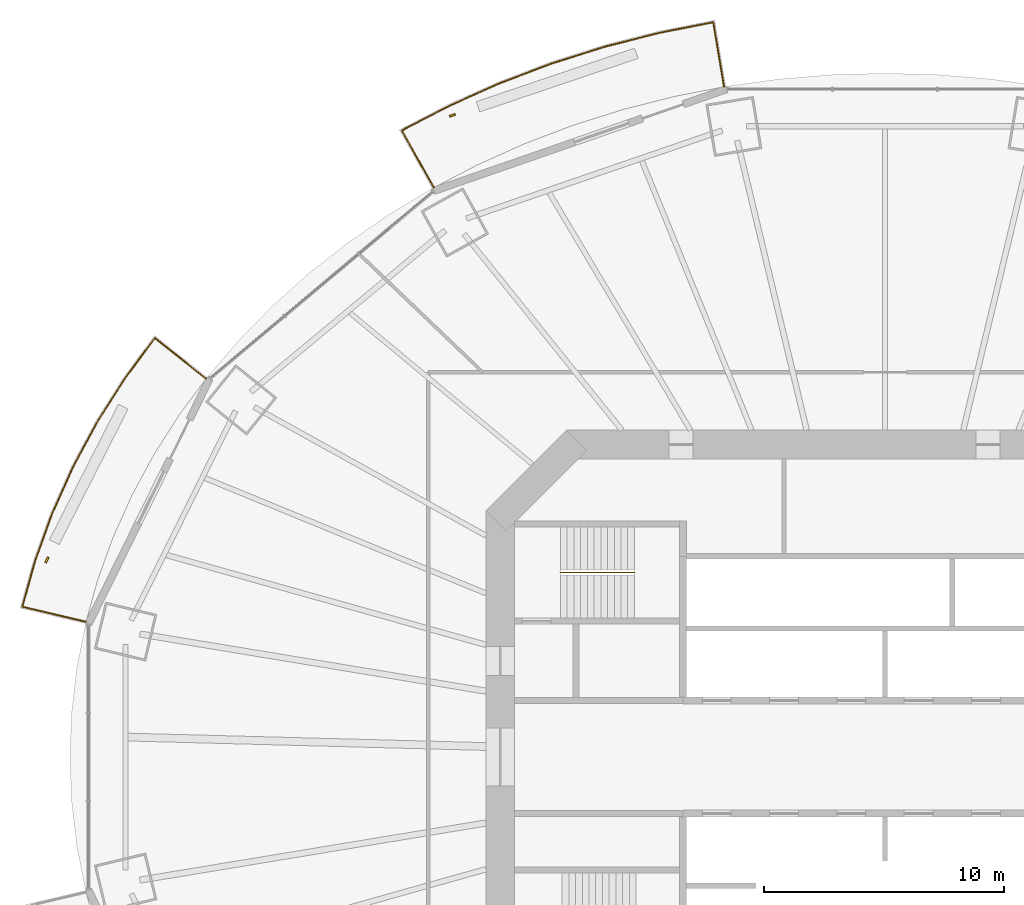
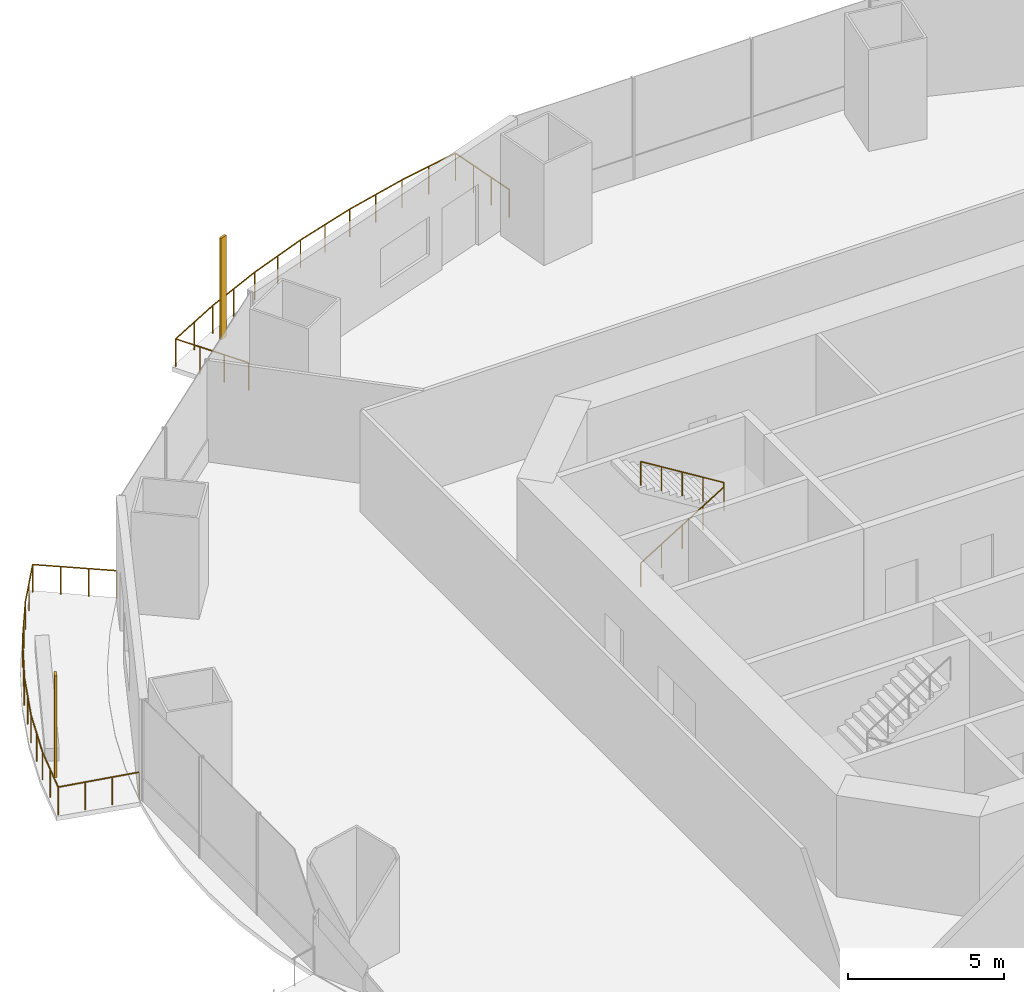
# One storey, part 19 of 21: 3 railings, 2 shading devices.
"""IFC4 building model written with IfcOpenShell, lengths in metres."""

from ifc_helpers import new_model, si_unit, direction, frame, origin, origin_2d, place, context, subcontext, project, spatial, rectangle, circle, extrude, material, material_profile, profile_set, type_object, element, save


model = new_model("IFC4")

# Units and contexts
model_context = context("Model", 3, precision=1e-05, world=origin(), true_north=direction((0.0, 1.0)))
body_context = subcontext(model_context, "Body", "Model", "MODEL_VIEW")
ifc_project = project(units=[si_unit("LENGTHUNIT", "METRE"), si_unit("AREAUNIT", "SQUARE_METRE"), si_unit("VOLUMEUNIT", "CUBIC_METRE"), si_unit("PLANEANGLEUNIT", "RADIAN"), si_unit("MASSUNIT", "GRAM", prefix="KILO")], contexts=[model_context])

# Site, building, storey
site_placement = place(None, origin())
site = spatial("IfcSite", under=ifc_project, at=site_placement, CompositionType="ELEMENT")
building_placement = place(site_placement, origin())
building = spatial("IfcBuilding", under=site, at=building_placement, Name="Marenthal Gate Tower", CompositionType="ELEMENT")
storey_placement = place(building_placement, frame((0.0, 0.0, 128.449951171875)))
storey = spatial("IfcBuildingStorey", under=building, at=storey_placement, Name="L27", CompositionType="ELEMENT", Elevation=128.449951171875)

# Railings
ifc_material_1 = material(Name="Stainless steel", Category="steel")
railing_type_1 = type_object("IfcRailingType", Name="Balcony guard 1100", PredefinedType="GUARDRAIL", material=ifc_material_1)
railing_1_placement = place(storey_placement, frame((-18.766357421875, 23.687744140625, 0.0)))
element("IfcRailing", 1, at=railing_1_placement, inside=storey, type_object=railing_type_1, Name="Balcony guard L27 bay 5", PredefinedType="GUARDRAIL", context=body_context, shape_type="SweptSolid", body=[
    extrude(circle(Radius=0.02392578125, at=origin_2d()), frame((0.0, 0.0, 1.076171875), z_axis=(-0.489197979897, 0.87204857286, -0.014718119373), x_axis=(-0.872143041114, -0.489250974283, 0.0)), (0.0, 0.0, 1.0), 2.720458984375),
    extrude(circle(Radius=0.02392578125, at=origin_2d()), frame((-1.330810546875, 2.372314453125, 1.0361328125), z_axis=(0.887124453904, 0.461530284257, 0.0), x_axis=(-0.461530284257, 0.887124453904, 0.0)), (0.0, 0.0, 1.0), 2.2080078125),
    extrude(circle(Radius=0.02392578125, at=origin_2d()), frame((0.6279296875, 3.391357421875, 1.0361328125), z_axis=(0.912452038961, 0.409183670979, 0.0), x_axis=(-0.409183670979, 0.912452038961, 0.0)), (0.0, 0.0, 1.0), 2.30419921875),
    extrude(circle(Radius=0.02392578125, at=origin_2d()), frame((2.73046875, 4.334228515625, 1.0361328125), z_axis=(0.934727645052, 0.355364924515, 0.0), x_axis=(-0.355364924515, 0.934727645052, 0.0)), (0.0, 0.0, 1.0), 2.3193359375),
    extrude(circle(Radius=0.02392578125, at=origin_2d()), frame((4.8984375, 5.158447265625, 1.0361328125), z_axis=(0.953617459754, 0.301021162798, 0.0), x_axis=(-0.301021162798, 0.953617459754, 0.0)), (0.0, 0.0, 1.0), 2.33251953125),
    extrude(circle(Radius=0.02392578125, at=origin_2d()), frame((7.122802734375, 5.860595703125, 1.0361328125), z_axis=(0.969104417167, 0.246650823286, 0.0), x_axis=(-0.246650823286, 0.969104417167, 0.0)), (0.0, 0.0, 1.0), 2.343994140625),
    extrude(circle(Radius=0.02392578125, at=origin_2d()), frame((9.394287109375, 6.438720703125, 1.0361328125), z_axis=(0.981203457672, 0.192976098658, 0.0), x_axis=(-0.192976098658, 0.981203457672, 0.0)), (0.0, 0.0, 1.0), 2.2734375),
    extrude(circle(Radius=0.02392578125, at=origin_2d()), frame((11.625, 6.87744140625, 1.0361328125), z_axis=(0.164774109377, -0.986221507592, 0.014718384498), x_axis=(0.986328347949, 0.164791959854, 0.0)), (0.0, 0.0, 1.0), 2.720458984375),
    extrude(circle(Radius=0.02099609375, at=origin_2d()), origin(), (0.0, 0.0, 1.0), 1.052001953125),
    extrude(circle(Radius=0.02099609375, at=origin_2d()), frame((-0.443603515625, 0.790771484375, -0.013427734375)), (0.0, 0.0, 1.0), 1.052001953125),
    extrude(circle(Radius=0.02099609375, at=origin_2d()), frame((-0.88720703125, 1.58154296875, -0.026611328125)), (0.0, 0.0, 1.0), 1.052001953125),
    extrude(circle(Radius=0.02099609375, at=origin_2d()), frame((-1.330810546875, 2.372314453125, -0.0400390625)), (0.0, 0.0, 1.0), 1.052001953125),
    extrude(circle(Radius=0.02099609375, at=origin_2d()), frame((-0.3515625, 2.8818359375, -0.0400390625)), (0.0, 0.0, 1.0), 1.052001953125),
    extrude(circle(Radius=0.02099609375, at=origin_2d()), frame((0.6279296875, 3.391357421875, -0.0400390625)), (0.0, 0.0, 1.0), 1.052001953125),
    extrude(circle(Radius=0.02099609375, at=origin_2d()), frame((1.67919921875, 3.86279296875, -0.0400390625)), (0.0, 0.0, 1.0), 1.052001953125),
    extrude(circle(Radius=0.02099609375, at=origin_2d()), frame((2.73046875, 4.334228515625, -0.0400390625)), (0.0, 0.0, 1.0), 1.052001953125),
    extrude(circle(Radius=0.02099609375, at=origin_2d()), frame((3.814453125, 4.746337890625, -0.0400390625)), (0.0, 0.0, 1.0), 1.052001953125),
    extrude(circle(Radius=0.02099609375, at=origin_2d()), frame((4.8984375, 5.158447265625, -0.0400390625)), (0.0, 0.0, 1.0), 1.052001953125),
    extrude(circle(Radius=0.02099609375, at=origin_2d()), frame((6.0107421875, 5.509521484375, -0.0400390625)), (0.0, 0.0, 1.0), 1.052001953125),
    extrude(circle(Radius=0.02099609375, at=origin_2d()), frame((7.122802734375, 5.860595703125, -0.0400390625)), (0.0, 0.0, 1.0), 1.052001953125),
    extrude(circle(Radius=0.02099609375, at=origin_2d()), frame((8.258544921875, 6.149658203125, -0.0400390625)), (0.0, 0.0, 1.0), 1.052001953125),
    extrude(circle(Radius=0.02099609375, at=origin_2d()), frame((9.394287109375, 6.438720703125, -0.0400390625)), (0.0, 0.0, 1.0), 1.052001953125),
    extrude(circle(Radius=0.02099609375, at=origin_2d()), frame((10.509765625, 6.658203125, -0.0400390625)), (0.0, 0.0, 1.0), 1.052001953125),
    extrude(circle(Radius=0.02099609375, at=origin_2d()), frame((11.625, 6.87744140625, -0.0400390625)), (0.0, 0.0, 1.0), 1.052001953125),
    extrude(circle(Radius=0.02099609375, at=origin_2d()), frame((11.7744140625, 5.983154296875, -0.026611328125)), (0.0, 0.0, 1.0), 1.052001953125),
    extrude(circle(Radius=0.02099609375, at=origin_2d()), frame((11.923828125, 5.0888671875, -0.013427734375)), (0.0, 0.0, 1.0), 1.052001953125),
    extrude(circle(Radius=0.02099609375, at=origin_2d()), frame((12.0732421875, 4.194580078125, 0.0)), (0.0, 0.0, 1.0), 1.052001953125),
])
railing_2_placement = place(storey_placement, frame((-33.234130859375, 5.626708984375, 0.0)))
element("IfcRailing", 2, at=railing_2_placement, inside=storey, type_object=railing_type_1, Name="Balcony guard L27 bay 7", PredefinedType="GUARDRAIL", context=body_context, shape_type="SweptSolid", body=[
    extrude(circle(Radius=0.02392578125, at=origin_2d()), frame((0.0, 0.0, 1.076171875), z_axis=(-0.972966930586, 0.230474963356, -0.014718806071), x_axis=(-0.230499932836, -0.973072341074, 0.0)), (0.0, 0.0, 1.0), 2.72021484375),
    extrude(circle(Radius=0.02392578125, at=origin_2d()), frame((-2.646728515625, 0.626953125, 1.0361328125), z_axis=(0.269210641776, 0.963081320738, 0.0), x_axis=(-0.963081320738, 0.269210641776, 0.0)), (0.0, 0.0, 1.0), 2.0087890625),
    extrude(circle(Radius=0.02392578125, at=origin_2d()), frame((-2.10595703125, 2.5615234375, 1.0361328125), z_axis=(0.340033207947, 0.940413429026, 0.0), x_axis=(-0.940413429026, 0.340033207947, 0.0)), (0.0, 0.0, 1.0), 2.0986328125),
    extrude(circle(Radius=0.02392578125, at=origin_2d()), frame((-1.392333984375, 4.53515625, 1.0361328125), z_axis=(0.409344821555, 0.912379754853, 0.0), x_axis=(-0.912379754853, 0.409344821555, 0.0)), (0.0, 0.0, 1.0), 2.11083984375),
    extrude(circle(Radius=0.02392578125, at=origin_2d()), frame((-0.5283203125, 6.4609375, 1.0361328125), z_axis=(0.475168488039, 0.879894827792, 0.0), x_axis=(-0.879894827792, 0.475168488039, 0.0)), (0.0, 0.0, 1.0), 2.12451171875),
    extrude(circle(Radius=0.02392578125, at=origin_2d()), frame((0.481201171875, 8.330322265625, 1.0361328125), z_axis=(0.537259241166, 0.843417161185, 0.0), x_axis=(-0.843417161185, 0.537259241166, 0.0)), (0.0, 0.0, 1.0), 2.140380859375),
    extrude(circle(Radius=0.02392578125, at=origin_2d()), frame((1.631103515625, 10.135498046875, 1.0361328125), z_axis=(0.594457150675, 0.804127288438, 0.0), x_axis=(-0.804127288438, 0.594457150675, 0.0)), (0.0, 0.0, 1.0), 2.077392578125),
    extrude(circle(Radius=0.02392578125, at=origin_2d()), frame((2.865966796875, 11.805908203125, 1.0361328125), z_axis=(0.782384075223, -0.622622270256, 0.014719626974), x_axis=(0.622689732199, 0.782468847568, 0.0)), (0.0, 0.0, 1.0), 2.72021484375),
    extrude(circle(Radius=0.02099609375, at=origin_2d()), origin(), (0.0, 0.0, 1.0), 1.052001953125),
    extrude(circle(Radius=0.02099609375, at=origin_2d()), frame((-0.88232421875, 0.208984375, -0.013427734375)), (0.0, 0.0, 1.0), 1.052001953125),
    extrude(circle(Radius=0.02099609375, at=origin_2d()), frame((-1.764404296875, 0.41796875, -0.026611328125)), (0.0, 0.0, 1.0), 1.052001953125),
    extrude(circle(Radius=0.02099609375, at=origin_2d()), frame((-2.646728515625, 0.626953125, -0.0400390625)), (0.0, 0.0, 1.0), 1.052001953125),
    extrude(circle(Radius=0.02099609375, at=origin_2d()), frame((-2.37646484375, 1.59423828125, -0.0400390625)), (0.0, 0.0, 1.0), 1.052001953125),
    extrude(circle(Radius=0.02099609375, at=origin_2d()), frame((-2.10595703125, 2.5615234375, -0.0400390625)), (0.0, 0.0, 1.0), 1.052001953125),
    extrude(circle(Radius=0.02099609375, at=origin_2d()), frame((-1.7490234375, 3.54833984375, -0.0400390625)), (0.0, 0.0, 1.0), 1.052001953125),
    extrude(circle(Radius=0.02099609375, at=origin_2d()), frame((-1.392333984375, 4.53515625, -0.0400390625)), (0.0, 0.0, 1.0), 1.052001953125),
    extrude(circle(Radius=0.02099609375, at=origin_2d()), frame((-0.96044921875, 5.498046875, -0.0400390625)), (0.0, 0.0, 1.0), 1.052001953125),
    extrude(circle(Radius=0.02099609375, at=origin_2d()), frame((-0.5283203125, 6.4609375, -0.0400390625)), (0.0, 0.0, 1.0), 1.052001953125),
    extrude(circle(Radius=0.02099609375, at=origin_2d()), frame((-0.0234375, 7.3955078125, -0.0400390625)), (0.0, 0.0, 1.0), 1.052001953125),
    extrude(circle(Radius=0.02099609375, at=origin_2d()), frame((0.481201171875, 8.330322265625, -0.0400390625)), (0.0, 0.0, 1.0), 1.052001953125),
    extrude(circle(Radius=0.02099609375, at=origin_2d()), frame((1.05615234375, 9.23291015625, -0.0400390625)), (0.0, 0.0, 1.0), 1.052001953125),
    extrude(circle(Radius=0.02099609375, at=origin_2d()), frame((1.631103515625, 10.135498046875, -0.0400390625)), (0.0, 0.0, 1.0), 1.052001953125),
    extrude(circle(Radius=0.02099609375, at=origin_2d()), frame((2.24853515625, 10.970703125, -0.0400390625)), (0.0, 0.0, 1.0), 1.052001953125),
    extrude(circle(Radius=0.02099609375, at=origin_2d()), frame((2.865966796875, 11.805908203125, -0.0400390625)), (0.0, 0.0, 1.0), 1.052001953125),
    extrude(circle(Radius=0.02099609375, at=origin_2d()), frame((3.575439453125, 11.241455078125, -0.026611328125)), (0.0, 0.0, 1.0), 1.052001953125),
    extrude(circle(Radius=0.02099609375, at=origin_2d()), frame((4.28466796875, 10.6767578125, -0.013427734375)), (0.0, 0.0, 1.0), 1.052001953125),
    extrude(circle(Radius=0.02099609375, at=origin_2d()), frame((4.994140625, 10.1123046875, 0.0)), (0.0, 0.0, 1.0), 1.052001953125),
])
ifc_material_2 = material(Name="Stainless steel", Category="steel")
railing_type_2 = type_object("IfcRailingType", Name="Stair handrail", PredefinedType="HANDRAIL", material=ifc_material_2)
railing_3_placement = place(storey_placement, frame((-13.5, 7.675048828125, 0.1728515625)))
element("IfcRailing", 3, at=railing_3_placement, inside=storey, type_object=railing_type_2, Name="Handrail ST1", PredefinedType="HANDRAIL", context=body_context, shape_type="SweptSolid", body=[
    extrude(circle(Radius=0.0224609375, at=origin_2d()), frame((0.0, 0.0, 0.927490234375), z_axis=(0.850835241893, 0.0, 0.525432575268), x_axis=(0.0, 1.0, 0.0)), (0.0, 0.0, 1.0), 3.6201171875),
    extrude(circle(Radius=0.0224609375, at=origin_2d()), frame((3.080078125, 0.0, 2.82958984375), z_axis=(0.0, 0.0, 1.0), x_axis=(1.0, 0.0, 0.0)), (0.0, 0.0, 1.0), 0.173095703125),
    extrude(circle(Radius=0.0224609375, at=origin_2d()), frame((3.080078125, 0.0, 3.002685546875), z_axis=(-0.850835241893, 0.0, 0.525432575268), x_axis=(0.0, -1.0, 0.0)), (0.0, 0.0, 1.0), 3.6201171875),
    extrude(circle(Radius=0.02001953125, at=origin_2d()), origin(), (0.0, 0.0, 1.0), 0.905029296875),
    extrude(circle(Radius=0.02001953125, at=origin_2d()), frame((0.77001953125, 0.0, 0.4755859375)), (0.0, 0.0, 1.0), 0.905029296875),
    extrude(circle(Radius=0.02001953125, at=origin_2d()), frame((1.5400390625, 0.0, 0.951171875)), (0.0, 0.0, 1.0), 0.905029296875),
    extrude(circle(Radius=0.02001953125, at=origin_2d()), frame((2.31005859375, 0.0, 1.426513671875)), (0.0, 0.0, 1.0), 0.905029296875),
    extrude(circle(Radius=0.02001953125, at=origin_2d()), frame((3.080078125, 0.0, 1.902099609375)), (0.0, 0.0, 1.0), 0.905029296875),
    extrude(circle(Radius=0.02001953125, at=origin_2d()), frame((3.080078125, 0.0, 2.0751953125)), (0.0, 0.0, 1.0), 0.905029296875),
    extrude(circle(Radius=0.02001953125, at=origin_2d()), frame((2.31005859375, 0.0, 2.55078125)), (0.0, 0.0, 1.0), 0.905029296875),
    extrude(circle(Radius=0.02001953125, at=origin_2d()), frame((1.5400390625, 0.0, 3.0263671875)), (0.0, 0.0, 1.0), 0.905029296875),
    extrude(circle(Radius=0.02001953125, at=origin_2d()), frame((0.77001953125, 0.0, 3.501708984375)), (0.0, 0.0, 1.0), 0.905029296875),
    extrude(circle(Radius=0.02001953125, at=origin_2d()), frame((0.0, 0.0, 3.977294921875)), (0.0, 0.0, 1.0), 0.905029296875),
])

# Shading devices
ifc_material_3 = material(Name="Terracotta", Category="masonry")
ifc_material_profile = material_profile(ifc_material_3, rectangle(XDim=0.25, YDim=0.080078125, at=origin_2d()), Name="Terracotta baguette 250x80")
ifc_profile_set = profile_set([ifc_material_profile], Name="Terracotta")
shading_device_type = type_object("IfcShadingDeviceType", Name="Terracotta BAGUETTE SCREEN 250x80", PredefinedType="USERDEFINED", material=ifc_profile_set)
for number, where, z_axis, x_axis, name in (
    (4, (-17.989501953125, 26.689453125, -0.0400390625), (0.0, 0.0, 1.0), (-0.944576320007, -0.328291906207, 0.0), "Terracotta BAGUETTE L27 bay 5R"),
    (5, (-34.85888671875, 8.199462890625, -0.0400390625), (0.0, 0.0, 1.0), (-0.442657811607, -0.896690616558, 0.0), "Terracotta BAGUETTE L27 bay 7R"),
):
    element("IfcShadingDevice", number, at=place(storey_placement, frame(where, z_axis=z_axis, x_axis=x_axis)), inside=storey, type_object=shading_device_type, Name=name, ObjectType="BAGUETTE SCREEN", PredefinedType="USERDEFINED", context=body_context, shape_type="SweptSolid", body=[
        extrude(rectangle(XDim=0.25, YDim=0.080078125, at=origin_2d()), origin(), (0.0, 0.0, 1.0), 3.969970703125),
    ])

save(model, "model.ifc")
